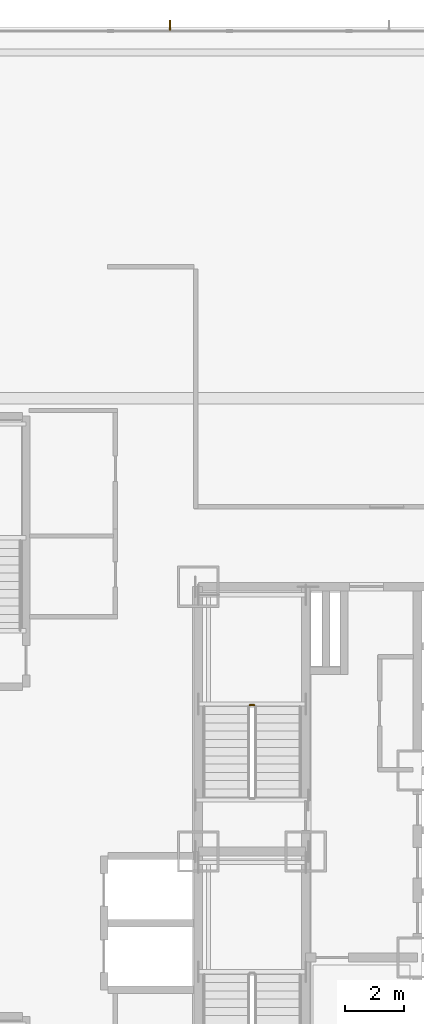
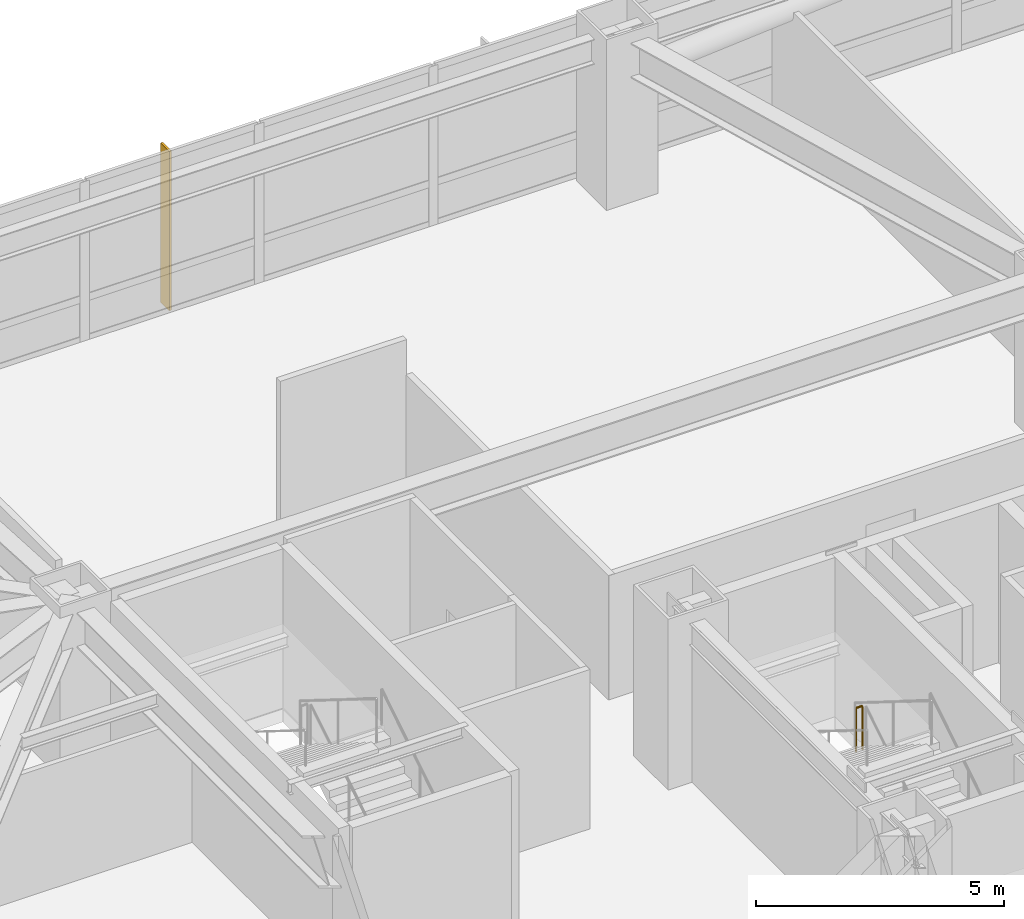
# One storey, part 31 of 32: 1 railing, 1 shading device.
"""IFC4 building model written with IfcOpenShell, lengths in metres."""

from ifc_helpers import new_model, si_unit, direction, frame, origin, origin_2d, place, context, subcontext, project, spatial, rectangle, circle, extrude, material, type_object, element, save


model = new_model("IFC4")

# Units and contexts
model_context = context("Model", 3, precision=1e-05, world=origin(), true_north=direction((0.0, 1.0)))
body_context = subcontext(model_context, "Body", "Model", "MODEL_VIEW")
ifc_project = project(units=[si_unit("LENGTHUNIT", "METRE"), si_unit("AREAUNIT", "SQUARE_METRE"), si_unit("VOLUMEUNIT", "CUBIC_METRE"), si_unit("PLANEANGLEUNIT", "RADIAN"), si_unit("MASSUNIT", "GRAM", prefix="KILO")], contexts=[model_context])

# Site, building, storey
site_placement = place(None, origin())
site = spatial("IfcSite", under=ifc_project, at=site_placement, CompositionType="ELEMENT")
building_placement = place(site_placement, origin())
building = spatial("IfcBuilding", under=site, at=building_placement, Name="Khamvora Tower", CompositionType="ELEMENT")
storey_placement = place(building_placement, frame((0.0, 0.0, 12.0)))
storey = spatial("IfcBuildingStorey", under=building, at=storey_placement, Name="L02", CompositionType="ELEMENT", Elevation=12.0)

# Railing
ifc_material_1 = material(Name="Stainless Steel 316", Category="steel")
railing_type = type_object("IfcRailingType", Name="RAL-STG-1100", PredefinedType="GUARDRAIL", material=ifc_material_1)
railing_placement = place(storey_placement, frame((30.89990234375, 32.97998046875, 2.10009765625)))
element("IfcRailing", 1, at=railing_placement, inside=storey, type_object=railing_type, Name="L02 ST-02 stair guard 2", PredefinedType="GUARDRAIL", context=body_context, shape_type="SweptSolid", body=[
    extrude(circle(Radius=0.02392578125, at=origin_2d()), frame((0.0, 0.0, 1.076171875), z_axis=(-1.0, 0.0, 0.0), x_axis=(0.0, -1.0, 0.0)), (0.0, 0.0, 1.0), 0.14990234375),
    extrude(circle(Radius=0.02099609375, at=origin_2d()), origin(), (0.0, 0.0, 1.0), 1.052001953125),
    extrude(circle(Radius=0.02099609375, at=origin_2d()), frame((-0.14990234375, 0.0, 0.0)), (0.0, 0.0, 1.0), 1.052001953125),
])

# Shading device
ifc_material_2 = material(Name="Anodised Bronze Aluminium 6063-T6", Category="aluminium")
shading_device_type = type_object("IfcShadingDeviceType", Name="SHD-FIN-350", PredefinedType="USERDEFINED", material=ifc_material_2)
shading_device_placement = place(storey_placement, frame((28.0390625, 56.077880859375, 0.0), z_axis=(0.0, 0.0, 1.0), x_axis=(1.0, 0.0, 0.0)))
element("IfcShadingDevice", 2, at=shading_device_placement, inside=storey, type_object=shading_device_type, Name="L02 anodised bronze solar fin 07.03", ObjectType="FIN", PredefinedType="USERDEFINED", context=body_context, shape_type="SweptSolid", body=[
    extrude(rectangle(XDim=0.054931640625, YDim=0.35009765625, at=origin_2d()), origin(), (0.0, 0.0, 1.0), 3.919921875),
])

save(model, "model.ifc")
